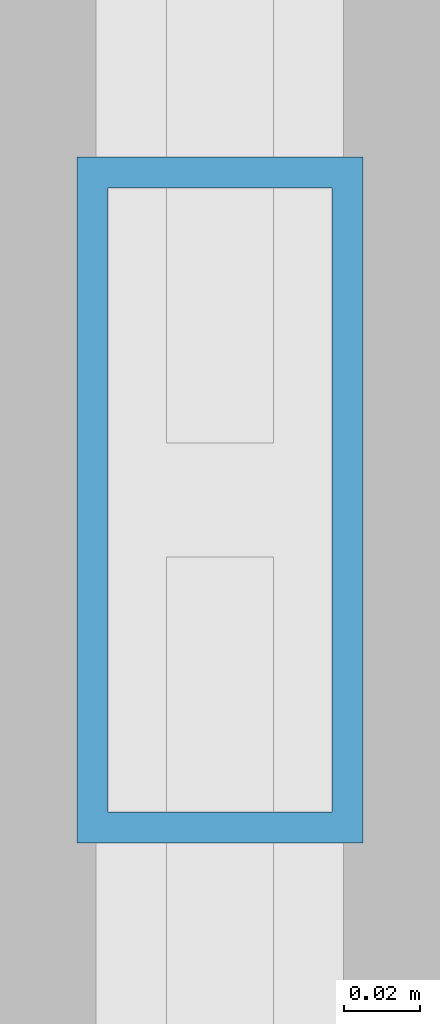
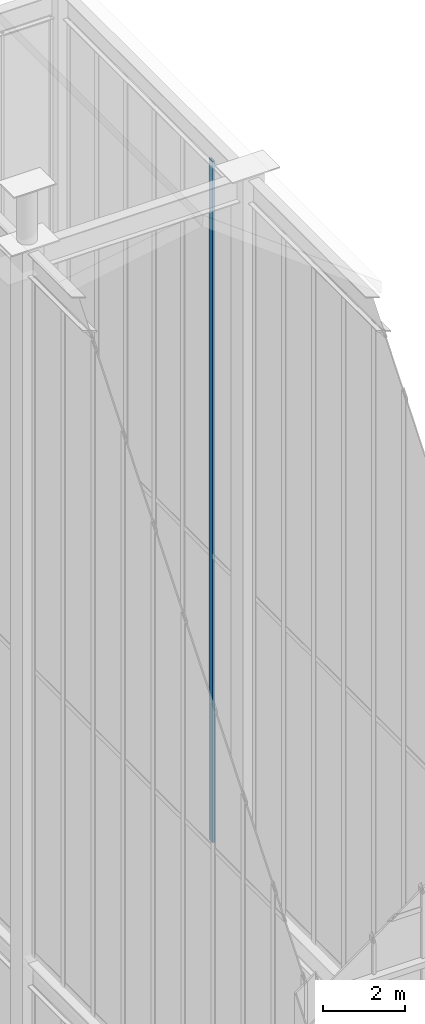
# One storey, part 95 of 135: 1 member, 1 element without a shape of its own.
"""IFC4 building model written with IfcOpenShell, lengths in metres."""

from ifc_helpers import new_model, si_unit, direction, frame, origin, origin_2d, place, context, subcontext, project, spatial, hollow_rectangle, extrude, source, transform, mapped, material, layer, layer_set, material_profile, profile_set, type_object, element, aggregate, save


model = new_model("IFC4")

# Units and contexts
model_context = context("Model", 3, precision=1e-05, world=origin(), true_north=direction((0.0, 1.0)))
body_context = subcontext(model_context, "Body", "Model", "MODEL_VIEW")
ifc_project = project(units=[si_unit("LENGTHUNIT", "METRE"), si_unit("AREAUNIT", "SQUARE_METRE"), si_unit("VOLUMEUNIT", "CUBIC_METRE"), si_unit("PLANEANGLEUNIT", "RADIAN"), si_unit("MASSUNIT", "GRAM", prefix="KILO")], contexts=[model_context])

# Site, building, storey
site_placement = place(None, origin())
site = spatial("IfcSite", under=ifc_project, at=site_placement, CompositionType="ELEMENT")
building_placement = place(site_placement, origin())
building = spatial("IfcBuilding", under=site, at=building_placement, Name="Giltprow Tower", CompositionType="ELEMENT")
storey_placement = place(building_placement, frame((0.0, 0.0, 352.699951171875)))
storey = spatial("IfcBuildingStorey", under=building, at=storey_placement, Name="L92", CompositionType="ELEMENT", Elevation=352.699951171875)

# Curtain wall, member
ifc_material = material(Name="Anodized bronze", Category="metal")
ifc_layer = layer(ifc_material, 0.179931640625, Name="Anodized bronze")
ifc_layer_set = layer_set([ifc_layer], Name="Anodized bronze")
curtain_wall_type = type_object("IfcCurtainWallType", Name="CW-CROWN-LANTERN", PredefinedType="NOTDEFINED", material=ifc_layer_set)
curtain_wall_placement = place(storey_placement, origin())
curtain_wall = element("IfcCurtainWall", 1, at=curtain_wall_placement, inside=storey, type_object=curtain_wall_type, Name="Crown East Upper Lantern Glazing 3", PredefinedType="NOTDEFINED")
ifc_material_profile = material_profile(ifc_material, hollow_rectangle(XDim=0.074951171875, YDim=0.179931640625, WallThickness=0.008056640625, at=origin_2d()), Name="RHS 180x75x8")
ifc_profile_set = profile_set([ifc_material_profile], Name="Anodized bronze")
member_type = type_object("IfcMemberType", Name="CW-MULLION-180x75", PredefinedType="MULLION", material=ifc_profile_set)
shared_shape = source(origin(), body_context, "Body", "SweptSolid", [
    extrude(hollow_rectangle(XDim=0.074951171875, YDim=0.179931640625, WallThickness=0.008056640625, at=origin_2d()), origin(), (0.0, 0.0, 1.0), 20.406005859375),
])
member_placement = place(storey_placement, frame((50.550048828125, 39.199951171875, 17.25), z_axis=(0.0, 0.0, 1.0), x_axis=(1.0, 0.0, 0.0)))
member = element("IfcMember", 2, at=member_placement, type_object=member_type, Name="Crown East Upper Lantern Glazing 3 Mullion 2", PredefinedType="MULLION", context=body_context, shape_type="MappedRepresentation", body=[
    mapped(shared_shape, transform((0.0, 0.0, 0.0), x_axis=(1.0, 0.0, 0.0), y_axis=(0.0, 1.0, 0.0), z_axis=(0.0, 0.0, 1.0), scale=1.0)),
])
aggregate(curtain_wall, [member])

save(model, "model.ifc")
